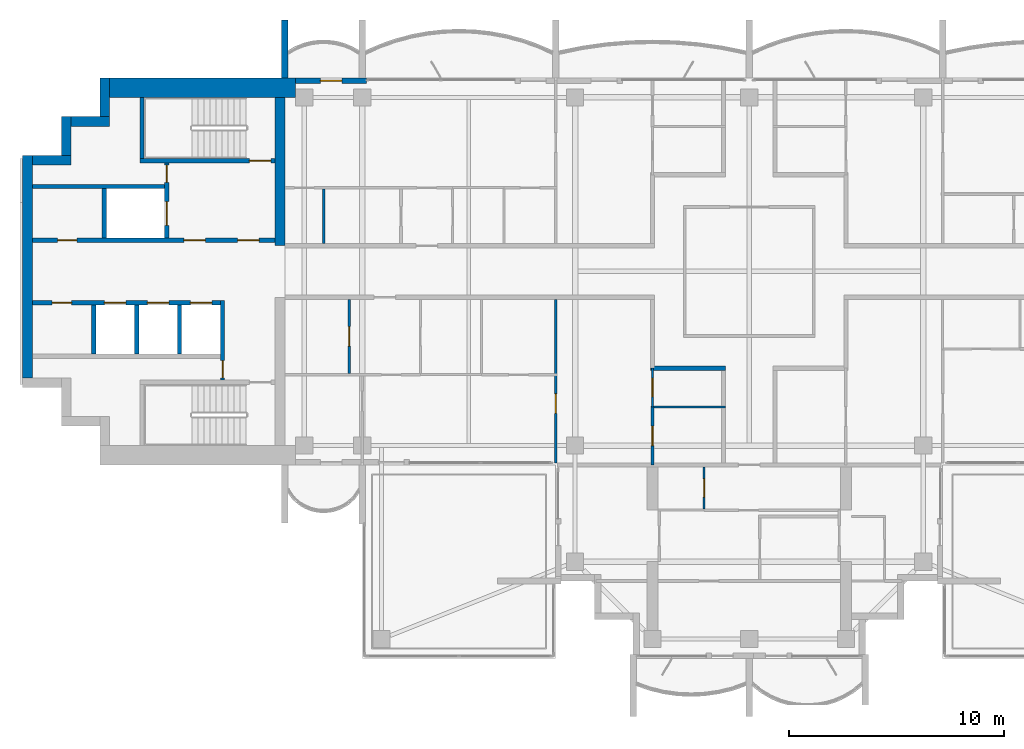
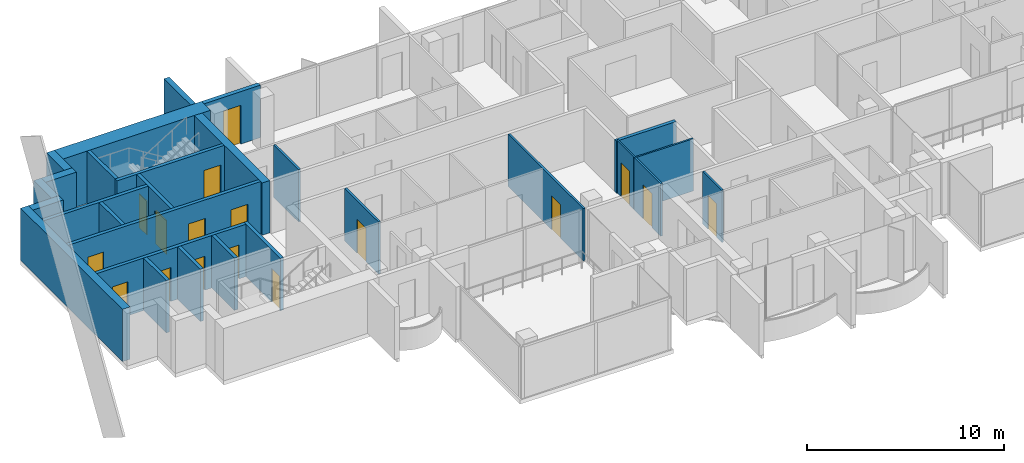
# One storey, part 7 of 16: 28 walls, 17 doors, 17 openings.
"""IFC4 building model written with IfcOpenShell, lengths in metres."""

from ifc_helpers import new_model, si_unit, direction, frame, frame_2d, origin, place, context, subcontext, project, spatial, rectangle, extrude, material, layer, layer_set, type_object, element, fill, save


model = new_model("IFC4")

# Units and contexts
model_context = context("Model", 3, precision=1e-05, world=origin(), true_north=direction((0.0, 1.0)))
body_context = subcontext(model_context, "Body", "Model", "MODEL_VIEW")
ifc_project = project(units=[si_unit("LENGTHUNIT", "METRE"), si_unit("AREAUNIT", "SQUARE_METRE"), si_unit("VOLUMEUNIT", "CUBIC_METRE"), si_unit("PLANEANGLEUNIT", "RADIAN"), si_unit("MASSUNIT", "GRAM", prefix="KILO")], contexts=[model_context])

# Site, building, storey
site_placement = place(None, origin())
site = spatial("IfcSite", under=ifc_project, at=site_placement, CompositionType="ELEMENT")
building_placement = place(site_placement, origin())
building = spatial("IfcBuilding", under=site, at=building_placement, Name="Perihelion Cross Residences", CompositionType="ELEMENT")
storey_placement = place(building_placement, frame((0.0, 0.0, 253.5)))
storey = spatial("IfcBuildingStorey", under=building, at=storey_placement, Name="L64", CompositionType="ELEMENT", Elevation=253.5)

# Wall
ifc_material_1 = material(Name="Plasterboard partition")
ifc_layer_1 = layer(ifc_material_1, 0.199951171875)
ifc_layer_set_1 = layer_set([ifc_layer_1], Name="Apartment separation wall 200")
wall_type_1 = type_object("IfcWallType", Name="Apartment separation wall 200", PredefinedType="PARTITIONING", material=ifc_layer_set_1)
wall_1_placement = place(storey_placement, frame((-1.10009765625, -4.5, 0.0), z_axis=(0.0, 0.0, 1.0), x_axis=(-1.0, 0.0, 0.0)))
element("IfcWall", 1, at=wall_1_placement, inside=storey, type_object=wall_type_1, Name="Partition L64 W020", PredefinedType="PARTITIONING", context=body_context, shape_type="SweptSolid", body=[
    extrude(rectangle(XDim=3.5, YDim=0.199951171875, at=frame_2d((1.75, 0.0))), origin(), (0.0, 0.0, 1.0), 3.25),
])

# Wall, opening, door
ifc_material_2 = material(Name="Concrete C30/37, bronze-clad", Category="concrete")
ifc_layer_2 = layer(ifc_material_2, 0.25)
ifc_layer_set_2 = layer_set([ifc_layer_2], Name="Bronze-clad pier wall 250")
wall_type_2 = type_object("IfcWallType", Name="Bronze-clad pier wall 250", PredefinedType="SOLIDWALL", material=ifc_layer_set_2)
wall_2_placement = place(storey_placement, frame((-17.800048828125, 8.875, 0.0), z_axis=(0.0, 0.0, 1.0), x_axis=(-1.0, 0.0, 0.0)))
wall_2 = element("IfcWall", 2, at=wall_2_placement, inside=storey, type_object=wall_type_2, Name="Wall FW1 L64 west side north bay 2 pier", PredefinedType="SOLIDWALL", context=body_context, shape_type="SweptSolid", body=[
    extrude(rectangle(XDim=3.300048828125, YDim=0.25, at=frame_2d((1.64990234375, 0.0))), origin(), (0.0, 0.0, 1.0), 3.25),
])
opening_1_placement = place(wall_2_placement, frame((1.14990234375, 0.0, 0.0)))
opening_1 = element("IfcOpeningElement", 3, at=opening_1_placement, cuts=wall_2, Name="Opening L64.E06", PredefinedType="OPENING", context=body_context, shape_type="SweptSolid", body=[
    extrude(rectangle(XDim=1.0, YDim=2.39990234375, at=frame_2d((0.5, 1.199951171875))), frame((0.0, 0.135009765625, 0.0), z_axis=(0.0, -1.0, 0.0), x_axis=(1.0, 0.0, 0.0)), (0.0, 0.0, 1.0), 0.27001953125),
])
ifc_material_3 = material(Name="Bronze anodised aluminium, glazed", Category="aluminium")
door_type_1 = type_object("IfcDoorType", Name="Balcony door 1000 x 2400", OperationType="NOTDEFINED", PredefinedType="DOOR", material=ifc_material_3)
door_1_placement = place(opening_1_placement, origin())
door_1 = element("IfcDoor", 4, at=door_1_placement, inside=storey, type_object=door_type_1, Name="Door L64.E06 west side north bay 2", OperationType="SINGLE_SWING_RIGHT", OverallHeight=2.39990234375, OverallWidth=1.0, PredefinedType="DOOR", context=body_context, shape_type="SweptSolid", body=[
    extrude(rectangle(XDim=1.0, YDim=2.39990234375, at=frame_2d((0.5, 1.199951171875))), frame((0.0, 0.02490234375, 0.0), z_axis=(0.0, -1.0, 0.0), x_axis=(1.0, 0.0, 0.0)), (0.0, 0.0, 1.0), 0.050048828125),
])
fill(opening_1, door_1)

# Walls
ifc_material_4 = material(Name="Concrete C60/75", Category="concrete")
ifc_layer_3 = layer(ifc_material_4, 0.449951171875)
ifc_layer_set_3 = layer_set([ifc_layer_3], Name="Core wall, inner 450")
wall_type_3 = type_object("IfcWallType", Name="Core wall, inner 450", PredefinedType="SHEAR", material=ifc_layer_set_3)
wall_3_placement = place(storey_placement, frame((-21.824951171875, 1.199951171875, 0.0), z_axis=(0.0, 0.0, 1.0), x_axis=(0.0, 1.0, 0.0)))
element("IfcWall", 5, at=wall_3_placement, inside=storey, type_object=wall_type_3, Name="West core core wall, inner", PredefinedType="SHEAR", context=body_context, shape_type="SweptSolid", body=[
    extrude(rectangle(XDim=6.900146484375, YDim=0.449951171875, at=frame_2d((3.4501953125, 0.0))), origin(), (0.0, 0.0, 1.0), 3.25),
])
ifc_material_5 = material(Name="Concrete C60/75", Category="concrete")
ifc_layer_4 = layer(ifc_material_5, 0.449951171875)
ifc_layer_set_4 = layer_set([ifc_layer_4], Name="Core wall, outer 450")
wall_type_4 = type_object("IfcWallType", Name="Core wall, outer 450", PredefinedType="SHEAR", material=ifc_layer_set_4)
wall_4_placement = place(storey_placement, frame((-33.574951171875, -4.949951171875, 0.0), z_axis=(0.0, 0.0, 1.0), x_axis=(0.0, 1.0, 0.0)))
element("IfcWall", 6, at=wall_4_placement, inside=storey, type_object=wall_type_4, Name="West core core wall, outer", PredefinedType="SHEAR", context=body_context, shape_type="SweptSolid", body=[
    extrude(rectangle(XDim=10.349853515625, YDim=0.449951171875, at=frame_2d((5.1748046875, 0.0))), origin(), (0.0, 0.0, 1.0), 3.25),
])
for number, where, z_axis, x_axis, name in (
    (7, (-33.35009765625, 5.175048828125, 0.0), (0.0, 0.0, 1.0), (1.0, 0.0, 0.0), "West core core wall, outer"),
    (8, (-31.77490234375, 5.39990234375, 0.0), (0.0, 0.0, 1.0), (0.0, 1.0, 0.0), "West core core wall, outer"),
    (9, (-31.550048828125, 6.97509765625, 0.0), (0.0, 0.0, 1.0), (1.0, 0.0, 0.0), "West core core wall, outer"),
    (10, (-29.97509765625, 7.199951171875, 0.0), (0.0, 0.0, 1.0), (0.0, 1.0, 0.0), "West core core wall, outer"),
):
    element("IfcWall", number, at=place(storey_placement, frame(where, z_axis=z_axis, x_axis=x_axis)), inside=storey, type_object=wall_type_4, Name=name, PredefinedType="SHEAR", context=body_context, shape_type="SweptSolid", body=[
        extrude(rectangle(XDim=1.800048828125, YDim=0.449951171875, at=frame_2d((0.89990234375, 0.0))), origin(), (0.0, 0.0, 1.0), 3.25),
    ])
ifc_material_6 = material(Name="Concrete C60/75", Category="concrete")
ifc_layer_5 = layer(ifc_material_6, 0.89990234375)
ifc_layer_set_5 = layer_set([ifc_layer_5], Name="Core wall, outer 900")
wall_type_5 = type_object("IfcWallType", Name="Core wall, outer 900", PredefinedType="SHEAR", material=ifc_layer_set_5)
wall_5_placement = place(storey_placement, frame((-29.75, 8.550048828125, 0.0), z_axis=(0.0, 0.0, 1.0), x_axis=(1.0, 0.0, 0.0)))
element("IfcWall", 11, at=wall_5_placement, inside=storey, type_object=wall_type_5, Name="West core core wall, outer", PredefinedType="SHEAR", context=body_context, shape_type="SweptSolid", body=[
    extrude(rectangle(XDim=8.64990234375, YDim=0.89990234375, at=frame_2d((4.324951171875, 0.0))), origin(), (0.0, 0.0, 1.0), 3.25),
])

# Wall, opening, door
ifc_material_7 = material(Name="Concrete C50/60", Category="concrete")
ifc_layer_6 = layer(ifc_material_7, 0.199951171875)
ifc_layer_set_6 = layer_set([ifc_layer_6], Name="Lobby wall 200")
wall_type_6 = type_object("IfcWallType", Name="Lobby wall 200", PredefinedType="SOLIDWALL", material=ifc_layer_set_6)
wall_6_placement = place(storey_placement, frame((-24.5, -5.050048828125, 0.0), z_axis=(0.0, 0.0, 1.0), x_axis=(0.0, 1.0, 0.0)))
wall_6 = element("IfcWall", 12, at=wall_6_placement, inside=storey, type_object=wall_type_6, Name="West core lobby wall", PredefinedType="SOLIDWALL", context=body_context, shape_type="SweptSolid", body=[
    extrude(rectangle(XDim=3.699951171875, YDim=0.199951171875, at=frame_2d((1.85009765625, 0.0))), origin(), (0.0, 0.0, 1.0), 3.25),
])
opening_2_placement = place(wall_6_placement, frame((0.10009765625, 0.0, 0.0)))
opening_2 = element("IfcOpeningElement", 13, at=opening_2_placement, cuts=wall_6, Name="Opening L64.C20", PredefinedType="OPENING", context=body_context, shape_type="SweptSolid", body=[
    extrude(rectangle(XDim=0.800048828125, YDim=2.10009765625, at=frame_2d((0.39990234375, 1.050048828125))), frame((0.0, 0.10986328125, 0.0), z_axis=(0.0, -1.0, 0.0), x_axis=(1.0, 0.0, 0.0)), (0.0, 0.0, 1.0), 0.219970703125),
])
ifc_material_8 = material(Name="Steel, powder coated", Category="steel")
door_type_2 = type_object("IfcDoorType", Name="Riser door 800", OperationType="SINGLE_SWING_LEFT", PredefinedType="DOOR", material=ifc_material_8)
door_2_placement = place(opening_2_placement, origin())
door_2 = element("IfcDoor", 14, at=door_2_placement, inside=storey, type_object=door_type_2, Name="West core riser door", OperationType="SINGLE_SWING_LEFT", OverallHeight=2.10009765625, OverallWidth=0.800048828125, PredefinedType="DOOR", context=body_context, shape_type="SweptSolid", body=[
    extrude(rectangle(XDim=0.800048828125, YDim=2.10009765625, at=frame_2d((0.39990234375, 1.050048828125))), frame((0.0, 0.02490234375, 0.0), z_axis=(0.0, -1.0, 0.0), x_axis=(1.0, 0.0, 0.0)), (0.0, 0.0, 1.0), 0.050048828125),
])
fill(opening_2, door_2)

# Wall
ifc_material_9 = material(Name="Plasterboard partition")
ifc_layer_7 = layer(ifc_material_9, 0.1201171875)
ifc_layer_set_7 = layer_set([ifc_layer_7], Name="Partition wall 120")
wall_type_7 = type_object("IfcWallType", Name="Partition wall 120", PredefinedType="PARTITIONING", material=ifc_layer_set_7)
wall_7_placement = place(storey_placement, frame((-19.800048828125, 1.300048828125, 0.0), z_axis=(0.0, 0.0, 1.0), x_axis=(0.0, 1.0, 0.0)))
element("IfcWall", 15, at=wall_7_placement, inside=storey, type_object=wall_type_7, Name="Partition L64 W050", PredefinedType="PARTITIONING", context=body_context, shape_type="SweptSolid", body=[
    extrude(rectangle(XDim=2.5400390625, YDim=0.1201171875, at=frame_2d((1.27001953125, 0.0))), origin(), (0.0, 0.0, 1.0), 3.25),
])

# Wall, opening, door
wall_8_placement = place(storey_placement, frame((-9.0, -1.300048828125, 0.0), z_axis=(0.0, 0.0, 1.0), x_axis=(0.0, -1.0, 0.0)))
wall_8 = element("IfcWall", 16, at=wall_8_placement, inside=storey, type_object=wall_type_7, Name="Partition L64 W056", PredefinedType="PARTITIONING", context=body_context, shape_type="SweptSolid", body=[
    extrude(rectangle(XDim=7.619873046875, YDim=0.1201171875, at=frame_2d((3.81005859375, 0.0))), origin(), (0.0, 0.0, 1.0), 3.25),
])
opening_3_placement = place(wall_8_placement, frame((4.39990234375, 0.0, 0.0)))
opening_3 = element("IfcOpeningElement", 17, at=opening_3_placement, cuts=wall_8, Name="Opening L64.A30", PredefinedType="OPENING", context=body_context, shape_type="SweptSolid", body=[
    extrude(rectangle(XDim=0.89990234375, YDim=2.10009765625, at=frame_2d((0.449951171875, 1.050048828125))), frame((0.0, 0.070068359375, 0.0), z_axis=(0.0, -1.0, 0.0), x_axis=(1.0, 0.0, 0.0)), (0.0, 0.0, 1.0), 0.14013671875),
])
ifc_material_10 = material(Name="Timber door leaf", Category="wood")
door_type_3 = type_object("IfcDoorType", Name="Interior room door 900 x 2100", OperationType="SINGLE_SWING_LEFT", PredefinedType="DOOR", material=ifc_material_10)
door_3_placement = place(opening_3_placement, origin())
door_3 = element("IfcDoor", 18, at=door_3_placement, inside=storey, type_object=door_type_3, Name="Door L64.A30", OperationType="SINGLE_SWING_RIGHT", OverallHeight=2.10009765625, OverallWidth=0.89990234375, PredefinedType="DOOR", context=body_context, shape_type="SweptSolid", body=[
    extrude(rectangle(XDim=0.89990234375, YDim=2.10009765625, at=frame_2d((0.449951171875, 1.050048828125))), frame((0.0, 0.02490234375, 0.0), z_axis=(0.0, -1.0, 0.0), x_axis=(1.0, 0.0, 0.0)), (0.0, 0.0, 1.0), 0.050048828125),
])
fill(opening_3, door_3)

wall_9_placement = place(storey_placement, frame((-18.60009765625, -4.739990234375, 0.0), z_axis=(0.0, 0.0, 1.0), x_axis=(0.0, 1.0, 0.0)))
wall_9 = element("IfcWall", 19, at=wall_9_placement, inside=storey, type_object=wall_type_7, Name="Partition L64 W059", PredefinedType="PARTITIONING", context=body_context, shape_type="SweptSolid", body=[
    extrude(rectangle(XDim=3.43994140625, YDim=0.1201171875, at=frame_2d((1.719970703125, 0.0))), origin(), (0.0, 0.0, 1.0), 3.25),
])
opening_4_placement = place(wall_9_placement, frame((1.27001953125, 0.0, 0.0)))
opening_4 = element("IfcOpeningElement", 20, at=opening_4_placement, cuts=wall_9, Name="Opening L64.A28", PredefinedType="OPENING", context=body_context, shape_type="SweptSolid", body=[
    extrude(rectangle(XDim=0.89990234375, YDim=2.10009765625, at=frame_2d((0.449951171875, 1.050048828125))), frame((0.0, 0.070068359375, 0.0), z_axis=(0.0, -1.0, 0.0), x_axis=(1.0, 0.0, 0.0)), (0.0, 0.0, 1.0), 0.14013671875),
])
door_4_placement = place(opening_4_placement, origin())
door_4 = element("IfcDoor", 21, at=door_4_placement, inside=storey, type_object=door_type_3, Name="Door L64.A28", OperationType="SINGLE_SWING_RIGHT", OverallHeight=2.10009765625, OverallWidth=0.89990234375, PredefinedType="DOOR", context=body_context, shape_type="SweptSolid", body=[
    extrude(rectangle(XDim=0.89990234375, YDim=2.10009765625, at=frame_2d((0.449951171875, 1.050048828125))), frame((0.0, 0.02490234375, 0.0), z_axis=(0.0, -1.0, 0.0), x_axis=(1.0, 0.0, 0.0)), (0.0, 0.0, 1.0), 0.050048828125),
])
fill(opening_4, door_4)

wall_10_placement = place(storey_placement, frame((-4.5, -6.300048828125, 0.0), z_axis=(0.0, 0.0, 1.0), x_axis=(0.0, -1.0, 0.0)))
wall_10 = element("IfcWall", 22, at=wall_10_placement, inside=storey, type_object=wall_type_7, Name="Partition L64 W063", PredefinedType="PARTITIONING", context=body_context, shape_type="SweptSolid", body=[
    extrude(rectangle(XDim=2.699951171875, YDim=0.1201171875, at=frame_2d((1.35009765625, 0.0))), origin(), (0.0, 0.0, 1.0), 3.25),
])
opening_5_placement = place(wall_10_placement, frame((0.89990234375, 0.0, 0.0)))
opening_5 = element("IfcOpeningElement", 23, at=opening_5_placement, cuts=wall_10, Name="Opening L64.A31", PredefinedType="OPENING", context=body_context, shape_type="SweptSolid", body=[
    extrude(rectangle(XDim=0.89990234375, YDim=2.10009765625, at=frame_2d((0.449951171875, 1.050048828125))), frame((0.0, 0.070068359375, 0.0), z_axis=(0.0, -1.0, 0.0), x_axis=(1.0, 0.0, 0.0)), (0.0, 0.0, 1.0), 0.14013671875),
])
door_5_placement = place(opening_5_placement, origin())
door_5 = element("IfcDoor", 24, at=door_5_placement, inside=storey, type_object=door_type_3, Name="Door L64.A31", OperationType="SINGLE_SWING_RIGHT", OverallHeight=2.10009765625, OverallWidth=0.89990234375, PredefinedType="DOOR", context=body_context, shape_type="SweptSolid", body=[
    extrude(rectangle(XDim=0.89990234375, YDim=2.10009765625, at=frame_2d((0.449951171875, 1.050048828125))), frame((0.0, 0.02490234375, 0.0), z_axis=(0.0, -1.0, 0.0), x_axis=(1.0, 0.0, 0.0)), (0.0, 0.0, 1.0), 0.050048828125),
])
fill(opening_5, door_5)

# Wall
ifc_material_11 = material(Name="Precast concrete C50/60", Category="concrete")
ifc_layer_8 = layer(ifc_material_11, 0.300048828125)
ifc_layer_set_8 = layer_set([ifc_layer_8], Name="Precast concrete C50/60 blade wall 300")
wall_type_8 = type_object("IfcWallType", Name="Precast concrete C50/60 blade wall 300", PredefinedType="SOLIDWALL", material=ifc_layer_set_8)
wall_11_placement = place(storey_placement, frame((-21.60009765625, 9.0, 0.0), z_axis=(0.0, 0.0, 1.0), x_axis=(0.0, 1.0, 0.0)))
element("IfcWall", 25, at=wall_11_placement, inside=storey, type_object=wall_type_8, Name="Wall BL1 L64 no. 4", PredefinedType="SOLIDWALL", context=body_context, shape_type="SweptSolid", body=[
    extrude(rectangle(XDim=2.699951171875, YDim=0.300048828125, at=frame_2d((1.35009765625, 0.0))), origin(), (0.0, 0.0, 1.0), 3.25),
])

# Wall, openings, doors
ifc_material_12 = material(Name="Concrete C50/60", Category="concrete")
ifc_layer_9 = layer(ifc_material_12, 0.199951171875)
ifc_layer_set_9 = layer_set([ifc_layer_9], Name="Shaft wall 200")
wall_type_9 = type_object("IfcWallType", Name="Shaft wall 200", PredefinedType="SOLIDWALL", material=ifc_layer_set_9)
wall_12_placement = place(storey_placement, frame((-33.35009765625, 1.449951171875, 0.0), z_axis=(0.0, 0.0, 1.0), x_axis=(1.0, 0.0, 0.0)))
wall_12 = element("IfcWall", 26, at=wall_12_placement, inside=storey, type_object=wall_type_9, Name="West core shaft wall", PredefinedType="SOLIDWALL", context=body_context, shape_type="SweptSolid", body=[
    extrude(rectangle(XDim=11.300048828125, YDim=0.199951171875, at=frame_2d((5.64990234375, 0.0))), origin(), (0.0, 0.0, 1.0), 3.25),
])
opening_6_placement = place(wall_12_placement, frame((9.550048828125, 0.0, 0.0)))
opening_6 = element("IfcOpeningElement", 27, at=opening_6_placement, cuts=wall_12, Name="Opening L64.C19", PredefinedType="OPENING", context=body_context, shape_type="SweptSolid", body=[
    extrude(rectangle(XDim=1.0, YDim=2.10009765625, at=frame_2d((0.5, 1.050048828125))), frame((0.0, 0.10986328125, 0.0), z_axis=(0.0, -1.0, 0.0), x_axis=(1.0, 0.0, 0.0)), (0.0, 0.0, 1.0), 0.219970703125),
])
opening_7_placement = place(wall_12_placement, frame((7.050048828125, 0.0, 0.0)))
opening_7 = element("IfcOpeningElement", 28, at=opening_7_placement, cuts=wall_12, Name="Opening L64.C21", PredefinedType="OPENING", context=body_context, shape_type="SweptSolid", body=[
    extrude(rectangle(XDim=1.0, YDim=2.10009765625, at=frame_2d((0.5, 1.050048828125))), frame((0.0, 0.10986328125, 0.0), z_axis=(0.0, -1.0, 0.0), x_axis=(1.0, 0.0, 0.0)), (0.0, 0.0, 1.0), 0.219970703125),
])
opening_8_placement = place(wall_12_placement, frame((1.175048828125, 0.0, 0.0)))
opening_8 = element("IfcOpeningElement", 29, at=opening_8_placement, cuts=wall_12, Name="Opening L64.C23", PredefinedType="OPENING", context=body_context, shape_type="SweptSolid", body=[
    extrude(rectangle(XDim=0.89990234375, YDim=2.10009765625, at=frame_2d((0.449951171875, 1.050048828125))), frame((0.0, 0.10986328125, 0.0), z_axis=(0.0, -1.0, 0.0), x_axis=(1.0, 0.0, 0.0)), (0.0, 0.0, 1.0), 0.219970703125),
])
ifc_material_13 = material(Name="Steel, powder coated", Category="steel")
door_type_4 = type_object("IfcDoorType", Name="Lobby door 1000", OperationType="SINGLE_SWING_LEFT", PredefinedType="DOOR", material=ifc_material_13)
door_6_placement = place(opening_6_placement, origin())
door_6 = element("IfcDoor", 30, at=door_6_placement, inside=storey, type_object=door_type_4, Name="West core firefighting lobby door", OperationType="SINGLE_SWING_LEFT", OverallHeight=2.10009765625, OverallWidth=1.0, PredefinedType="DOOR", context=body_context, shape_type="SweptSolid", body=[
    extrude(rectangle(XDim=1.0, YDim=2.10009765625, at=frame_2d((0.5, 1.050048828125))), frame((0.0, 0.02490234375, 0.0), z_axis=(0.0, -1.0, 0.0), x_axis=(1.0, 0.0, 0.0)), (0.0, 0.0, 1.0), 0.050048828125),
])
fill(opening_6, door_6)
door_7_placement = place(opening_7_placement, origin())
door_7 = element("IfcDoor", 31, at=door_7_placement, inside=storey, type_object=door_type_4, Name="West core firefighting lobby door", OperationType="SINGLE_SWING_LEFT", OverallHeight=2.10009765625, OverallWidth=1.0, PredefinedType="DOOR", context=body_context, shape_type="SweptSolid", body=[
    extrude(rectangle(XDim=1.0, YDim=2.10009765625, at=frame_2d((0.5, 1.050048828125))), frame((0.0, 0.02490234375, 0.0), z_axis=(0.0, -1.0, 0.0), x_axis=(1.0, 0.0, 0.0)), (0.0, 0.0, 1.0), 0.050048828125),
])
fill(opening_7, door_7)
ifc_material_14 = material(Name="Steel, powder coated", Category="steel")
door_type_5 = type_object("IfcDoorType", Name="Service room door 900", OperationType="SINGLE_SWING_LEFT", PredefinedType="DOOR", material=ifc_material_14)
door_8_placement = place(opening_8_placement, origin())
door_8 = element("IfcDoor", 32, at=door_8_placement, inside=storey, type_object=door_type_5, Name="West core service room door", OperationType="SINGLE_SWING_LEFT", OverallHeight=2.10009765625, OverallWidth=0.89990234375, PredefinedType="DOOR", context=body_context, shape_type="SweptSolid", body=[
    extrude(rectangle(XDim=0.89990234375, YDim=2.10009765625, at=frame_2d((0.449951171875, 1.050048828125))), frame((0.0, 0.02490234375, 0.0), z_axis=(0.0, -1.0, 0.0), x_axis=(1.0, 0.0, 0.0)), (0.0, 0.0, 1.0), 0.050048828125),
])
fill(opening_8, door_8)

wall_13_placement = place(storey_placement, frame((-33.35009765625, -1.449951171875, 0.0), z_axis=(0.0, 0.0, 1.0), x_axis=(1.0, 0.0, 0.0)))
wall_13 = element("IfcWall", 33, at=wall_13_placement, inside=storey, type_object=wall_type_9, Name="West core shaft wall", PredefinedType="SOLIDWALL", context=body_context, shape_type="SweptSolid", body=[
    extrude(rectangle(XDim=8.75, YDim=0.199951171875, at=frame_2d((4.375, 0.0))), origin(), (0.0, 0.0, 1.0), 3.25),
])
opening_9_placement = place(wall_13_placement, frame((7.35009765625, 0.0, 0.0)))
opening_9 = element("IfcOpeningElement", 34, at=opening_9_placement, cuts=wall_13, Name="Opening L64.C13", PredefinedType="OPENING", context=body_context, shape_type="SweptSolid", body=[
    extrude(rectangle(XDim=1.0, YDim=2.10009765625, at=frame_2d((0.5, 1.050048828125))), frame((0.0, 0.10986328125, 0.0), z_axis=(0.0, -1.0, 0.0), x_axis=(1.0, 0.0, 0.0)), (0.0, 0.0, 1.0), 0.219970703125),
])
opening_10_placement = place(wall_13_placement, frame((5.35009765625, 0.0, 0.0)))
opening_10 = element("IfcOpeningElement", 35, at=opening_10_placement, cuts=wall_13, Name="Opening L64.C15", PredefinedType="OPENING", context=body_context, shape_type="SweptSolid", body=[
    extrude(rectangle(XDim=1.0, YDim=2.10009765625, at=frame_2d((0.5, 1.050048828125))), frame((0.0, 0.10986328125, 0.0), z_axis=(0.0, -1.0, 0.0), x_axis=(1.0, 0.0, 0.0)), (0.0, 0.0, 1.0), 0.219970703125),
])
opening_11_placement = place(wall_13_placement, frame((3.35009765625, 0.0, 0.0)))
opening_11 = element("IfcOpeningElement", 36, at=opening_11_placement, cuts=wall_13, Name="Opening L64.C16", PredefinedType="OPENING", context=body_context, shape_type="SweptSolid", body=[
    extrude(rectangle(XDim=1.0, YDim=2.10009765625, at=frame_2d((0.5, 1.050048828125))), frame((0.0, 0.10986328125, 0.0), z_axis=(0.0, -1.0, 0.0), x_axis=(1.0, 0.0, 0.0)), (0.0, 0.0, 1.0), 0.219970703125),
])
opening_12_placement = place(wall_13_placement, frame((0.925048828125, 0.0, 0.0)))
opening_12 = element("IfcOpeningElement", 37, at=opening_12_placement, cuts=wall_13, Name="Opening L64.C24", PredefinedType="OPENING", context=body_context, shape_type="SweptSolid", body=[
    extrude(rectangle(XDim=0.89990234375, YDim=2.10009765625, at=frame_2d((0.449951171875, 1.050048828125))), frame((0.0, 0.10986328125, 0.0), z_axis=(0.0, -1.0, 0.0), x_axis=(1.0, 0.0, 0.0)), (0.0, 0.0, 1.0), 0.219970703125),
])
ifc_material_15 = material(Name="Stainless steel", Category="steel")
door_type_6 = type_object("IfcDoorType", Name="Landing door 1000", OperationType="DOUBLE_DOOR_SLIDING", PredefinedType="DOOR", material=ifc_material_15)
door_9_placement = place(opening_9_placement, origin())
door_9 = element("IfcDoor", 38, at=door_9_placement, inside=storey, type_object=door_type_6, Name="Landing door, West core high-rise lift 1", OperationType="DOUBLE_DOOR_SLIDING", OverallHeight=2.10009765625, OverallWidth=1.0, PredefinedType="DOOR", context=body_context, shape_type="SweptSolid", body=[
    extrude(rectangle(XDim=1.0, YDim=2.10009765625, at=frame_2d((0.5, 1.050048828125))), frame((0.0, 0.02490234375, 0.0), z_axis=(0.0, -1.0, 0.0), x_axis=(1.0, 0.0, 0.0)), (0.0, 0.0, 1.0), 0.050048828125),
])
fill(opening_9, door_9)
door_10_placement = place(opening_10_placement, origin())
door_10 = element("IfcDoor", 39, at=door_10_placement, inside=storey, type_object=door_type_6, Name="Landing door, West core high-rise lift 2", OperationType="DOUBLE_DOOR_SLIDING", OverallHeight=2.10009765625, OverallWidth=1.0, PredefinedType="DOOR", context=body_context, shape_type="SweptSolid", body=[
    extrude(rectangle(XDim=1.0, YDim=2.10009765625, at=frame_2d((0.5, 1.050048828125))), frame((0.0, 0.02490234375, 0.0), z_axis=(0.0, -1.0, 0.0), x_axis=(1.0, 0.0, 0.0)), (0.0, 0.0, 1.0), 0.050048828125),
])
fill(opening_10, door_10)
door_11_placement = place(opening_11_placement, origin())
door_11 = element("IfcDoor", 40, at=door_11_placement, inside=storey, type_object=door_type_6, Name="Landing door, West core high-rise lift 3", OperationType="DOUBLE_DOOR_SLIDING", OverallHeight=2.10009765625, OverallWidth=1.0, PredefinedType="DOOR", context=body_context, shape_type="SweptSolid", body=[
    extrude(rectangle(XDim=1.0, YDim=2.10009765625, at=frame_2d((0.5, 1.050048828125))), frame((0.0, 0.02490234375, 0.0), z_axis=(0.0, -1.0, 0.0), x_axis=(1.0, 0.0, 0.0)), (0.0, 0.0, 1.0), 0.050048828125),
])
fill(opening_11, door_11)
door_12_placement = place(opening_12_placement, origin())
door_12 = element("IfcDoor", 41, at=door_12_placement, inside=storey, type_object=door_type_5, Name="West core service room door", OperationType="SINGLE_SWING_LEFT", OverallHeight=2.10009765625, OverallWidth=0.89990234375, PredefinedType="DOOR", context=body_context, shape_type="SweptSolid", body=[
    extrude(rectangle(XDim=0.89990234375, YDim=2.10009765625, at=frame_2d((0.449951171875, 1.050048828125))), frame((0.0, 0.02490234375, 0.0), z_axis=(0.0, -1.0, 0.0), x_axis=(1.0, 0.0, 0.0)), (0.0, 0.0, 1.0), 0.050048828125),
])
fill(opening_12, door_12)

# Wall
wall_14_placement = place(storey_placement, frame((-33.35009765625, 3.949951171875, 0.0), z_axis=(0.0, 0.0, 1.0), x_axis=(1.0, 0.0, 0.0)))
element("IfcWall", 42, at=wall_14_placement, inside=storey, type_object=wall_type_9, Name="West core shaft wall", PredefinedType="SOLIDWALL", context=body_context, shape_type="SweptSolid", body=[
    extrude(rectangle(XDim=6.150146484375, YDim=0.199951171875, at=frame_2d((3.0751953125, 0.0))), origin(), (0.0, 0.0, 1.0), 3.25),
])

# Wall, openings, doors
wall_15_placement = place(storey_placement, frame((-27.10009765625, 1.550048828125, 0.0), z_axis=(0.0, 0.0, 1.0), x_axis=(0.0, 1.0, 0.0)))
wall_15 = element("IfcWall", 43, at=wall_15_placement, inside=storey, type_object=wall_type_9, Name="West core shaft wall", PredefinedType="SOLIDWALL", context=body_context, shape_type="SweptSolid", body=[
    extrude(rectangle(XDim=3.5, YDim=0.199951171875, at=frame_2d((1.75, 0.0))), origin(), (0.0, 0.0, 1.0), 3.25),
])
opening_13_placement = place(wall_15_placement, frame((0.60009765625, 0.0, 0.0)))
opening_13 = element("IfcOpeningElement", 44, at=opening_13_placement, cuts=wall_15, Name="Opening L64.C14", PredefinedType="OPENING", context=body_context, shape_type="SweptSolid", body=[
    extrude(rectangle(XDim=1.10009765625, YDim=2.10009765625, at=frame_2d((0.550048828125, 1.050048828125))), frame((0.0, 0.10986328125, 0.0), z_axis=(0.0, -1.0, 0.0), x_axis=(1.0, 0.0, 0.0)), (0.0, 0.0, 1.0), 0.219970703125),
])
opening_14_placement = place(wall_15_placement, frame((2.60009765625, 0.0, 0.0)))
opening_14 = element("IfcOpeningElement", 45, at=opening_14_placement, cuts=wall_15, Name="Opening L64.C22", PredefinedType="OPENING", context=body_context, shape_type="SweptSolid", body=[
    extrude(rectangle(XDim=0.800048828125, YDim=2.10009765625, at=frame_2d((0.39990234375, 1.050048828125))), frame((0.0, 0.10986328125, 0.0), z_axis=(0.0, -1.0, 0.0), x_axis=(1.0, 0.0, 0.0)), (0.0, 0.0, 1.0), 0.219970703125),
])
ifc_material_16 = material(Name="Stainless steel", Category="steel")
door_type_7 = type_object("IfcDoorType", Name="Landing door, firefighting lift 1100", OperationType="DOUBLE_DOOR_SLIDING", PredefinedType="DOOR", material=ifc_material_16)
door_13_placement = place(opening_13_placement, origin())
door_13 = element("IfcDoor", 46, at=door_13_placement, inside=storey, type_object=door_type_7, Name="Landing door, West core firefighting and service lift", OperationType="DOUBLE_DOOR_SLIDING", OverallHeight=2.10009765625, OverallWidth=1.10009765625, PredefinedType="DOOR", context=body_context, shape_type="SweptSolid", body=[
    extrude(rectangle(XDim=1.10009765625, YDim=2.10009765625, at=frame_2d((0.550048828125, 1.050048828125))), frame((0.0, 0.02490234375, 0.0), z_axis=(0.0, -1.0, 0.0), x_axis=(1.0, 0.0, 0.0)), (0.0, 0.0, 1.0), 0.050048828125),
])
fill(opening_13, door_13)
door_14_placement = place(opening_14_placement, origin())
door_14 = element("IfcDoor", 47, at=door_14_placement, inside=storey, type_object=door_type_2, Name="West core riser door", OperationType="SINGLE_SWING_LEFT", OverallHeight=2.10009765625, OverallWidth=0.800048828125, PredefinedType="DOOR", context=body_context, shape_type="SweptSolid", body=[
    extrude(rectangle(XDim=0.800048828125, YDim=2.10009765625, at=frame_2d((0.39990234375, 1.050048828125))), frame((0.0, 0.02490234375, 0.0), z_axis=(0.0, -1.0, 0.0), x_axis=(1.0, 0.0, 0.0)), (0.0, 0.0, 1.0), 0.050048828125),
])
fill(opening_14, door_14)

# Walls
for number, where, z_axis, x_axis, name in (
    (48, (-30.0, 1.550048828125, 0.0), (0.0, 0.0, 1.0), (0.0, 1.0, 0.0), "West core shaft wall"),
    (49, (-26.5, -3.85009765625, 0.0), (0.0, 0.0, 1.0), (0.0, 1.0, 0.0), "West core shaft wall"),
    (50, (-28.5, -3.85009765625, 0.0), (0.0, 0.0, 1.0), (0.0, 1.0, 0.0), "West core shaft wall"),
    (51, (-30.5, -3.85009765625, 0.0), (0.0, 0.0, 1.0), (0.0, 1.0, 0.0), "West core shaft wall"),
):
    element("IfcWall", number, at=place(storey_placement, frame(where, z_axis=z_axis, x_axis=x_axis)), inside=storey, type_object=wall_type_9, Name=name, PredefinedType="SOLIDWALL", context=body_context, shape_type="SweptSolid", body=[
        extrude(rectangle(XDim=2.300048828125, YDim=0.199951171875, at=frame_2d((1.14990234375, 0.0))), origin(), (0.0, 0.0, 1.0), 3.25),
    ])

# Wall, opening, door
ifc_material_17 = material(Name="Concrete C50/60", Category="concrete")
ifc_layer_10 = layer(ifc_material_17, 0.199951171875)
ifc_layer_set_10 = layer_set([ifc_layer_10], Name="Stair wall 200")
wall_type_10 = type_object("IfcWallType", Name="Stair wall 200", PredefinedType="SOLIDWALL", material=ifc_layer_set_10)
wall_16_placement = place(storey_placement, frame((-28.35009765625, 5.14990234375, 0.0), z_axis=(0.0, 0.0, 1.0), x_axis=(1.0, 0.0, 0.0)))
wall_16 = element("IfcWall", 52, at=wall_16_placement, inside=storey, type_object=wall_type_10, Name="West core stair wall", PredefinedType="SOLIDWALL", context=body_context, shape_type="SweptSolid", body=[
    extrude(rectangle(XDim=6.300048828125, YDim=0.199951171875, at=frame_2d((3.14990234375, 0.0))), origin(), (0.0, 0.0, 1.0), 3.25),
])
opening_15_placement = place(wall_16_placement, frame((5.10009765625, 0.0, 0.0)))
opening_15 = element("IfcOpeningElement", 53, at=opening_15_placement, cuts=wall_16, Name="Opening L64.C18", PredefinedType="OPENING", context=body_context, shape_type="SweptSolid", body=[
    extrude(rectangle(XDim=1.0, YDim=2.10009765625, at=frame_2d((0.5, 1.050048828125))), frame((0.0, 0.10986328125, 0.0), z_axis=(0.0, -1.0, 0.0), x_axis=(1.0, 0.0, 0.0)), (0.0, 0.0, 1.0), 0.219970703125),
])
ifc_material_18 = material(Name="Steel, powder coated", Category="steel")
door_type_8 = type_object("IfcDoorType", Name="Stair door 1000", OperationType="SINGLE_SWING_LEFT", PredefinedType="DOOR", material=ifc_material_18)
door_15_placement = place(opening_15_placement, origin())
door_15 = element("IfcDoor", 54, at=door_15_placement, inside=storey, type_object=door_type_8, Name="West core stair door", OperationType="SINGLE_SWING_LEFT", OverallHeight=2.10009765625, OverallWidth=1.0, PredefinedType="DOOR", context=body_context, shape_type="SweptSolid", body=[
    extrude(rectangle(XDim=1.0, YDim=2.10009765625, at=frame_2d((0.5, 1.050048828125))), frame((0.0, 0.02490234375, 0.0), z_axis=(0.0, -1.0, 0.0), x_axis=(1.0, 0.0, 0.0)), (0.0, 0.0, 1.0), 0.050048828125),
])
fill(opening_15, door_15)

# Wall
wall_17_placement = place(storey_placement, frame((-28.25, 5.25, 0.0), z_axis=(0.0, 0.0, 1.0), x_axis=(0.0, 1.0, 0.0)))
element("IfcWall", 55, at=wall_17_placement, inside=storey, type_object=wall_type_10, Name="West core stair wall", PredefinedType="SOLIDWALL", context=body_context, shape_type="SweptSolid", body=[
    extrude(rectangle(XDim=2.85009765625, YDim=0.199951171875, at=frame_2d((1.425048828125, 0.0))), origin(), (0.0, 0.0, 1.0), 3.25),
])

# Wall, opening, door
ifc_material_19 = material(Name="Plasterboard partition")
ifc_layer_11 = layer(ifc_material_19, 0.10009765625)
ifc_layer_set_11 = layer_set([ifc_layer_11], Name="Wet room wall 100")
wall_type_11 = type_object("IfcWallType", Name="Wet room wall 100", PredefinedType="PARTITIONING", material=ifc_layer_set_11)
wall_18_placement = place(storey_placement, frame((-4.5, -4.5, 0.0), z_axis=(0.0, 0.0, 1.0), x_axis=(0.0, -1.0, 0.0)))
wall_18 = element("IfcWall", 56, at=wall_18_placement, inside=storey, type_object=wall_type_11, Name="Partition L64 W062", PredefinedType="PARTITIONING", context=body_context, shape_type="SweptSolid", body=[
    extrude(rectangle(XDim=1.800048828125, YDim=0.10009765625, at=frame_2d((0.89990234375, 0.0))), origin(), (0.0, 0.0, 1.0), 3.25),
])
opening_16_placement = place(wall_18_placement, frame((0.47509765625, 0.0, 0.0)))
opening_16 = element("IfcOpeningElement", 57, at=opening_16_placement, cuts=wall_18, Name="Opening L64.A32", PredefinedType="OPENING", context=body_context, shape_type="SweptSolid", body=[
    extrude(rectangle(XDim=0.85009765625, YDim=2.10009765625, at=frame_2d((0.425048828125, 1.050048828125))), frame((0.0, 0.06005859375, 0.0), z_axis=(0.0, -1.0, 0.0), x_axis=(1.0, 0.0, 0.0)), (0.0, 0.0, 1.0), 0.1201171875),
])
ifc_material_20 = material(Name="Timber door leaf", Category="wood")
door_type_9 = type_object("IfcDoorType", Name="Interior bathroom door 850 x 2100", OperationType="SINGLE_SWING_LEFT", PredefinedType="DOOR", material=ifc_material_20)
door_16_placement = place(opening_16_placement, origin())
door_16 = element("IfcDoor", 58, at=door_16_placement, inside=storey, type_object=door_type_9, Name="Door L64.A32", OperationType="SINGLE_SWING_RIGHT", OverallHeight=2.10009765625, OverallWidth=0.85009765625, PredefinedType="DOOR", context=body_context, shape_type="SweptSolid", body=[
    extrude(rectangle(XDim=0.85009765625, YDim=2.10009765625, at=frame_2d((0.425048828125, 1.050048828125))), frame((0.0, 0.02490234375, 0.0), z_axis=(0.0, -1.0, 0.0), x_axis=(1.0, 0.0, 0.0)), (0.0, 0.0, 1.0), 0.050048828125),
])
fill(opening_16, door_16)

# Wall
wall_19_placement = place(storey_placement, frame((-1.10009765625, -6.300048828125, 0.0), z_axis=(0.0, 0.0, 1.0), x_axis=(-1.0, 0.0, 0.0)))
element("IfcWall", 59, at=wall_19_placement, inside=storey, type_object=wall_type_11, Name="Partition L64 W064", PredefinedType="PARTITIONING", context=body_context, shape_type="SweptSolid", body=[
    extrude(rectangle(XDim=3.4599609375, YDim=0.10009765625, at=frame_2d((1.72998046875, 0.0))), origin(), (0.0, 0.0, 1.0), 3.25),
])

# Wall, opening, door
wall_20_placement = place(storey_placement, frame((-2.10009765625, -11.0400390625, 0.0), z_axis=(0.0, 0.0, 1.0), x_axis=(0.0, 1.0, 0.0)))
wall_20 = element("IfcWall", 60, at=wall_20_placement, inside=storey, type_object=wall_type_11, Name="Partition L64 W065", PredefinedType="PARTITIONING", context=body_context, shape_type="SweptSolid", body=[
    extrude(rectangle(XDim=1.93994140625, YDim=0.10009765625, at=frame_2d((0.969970703125, 0.0))), origin(), (0.0, 0.0, 1.0), 3.25),
])
opening_17_placement = place(wall_20_placement, frame((0.544921875, 0.0, 0.0)))
opening_17 = element("IfcOpeningElement", 61, at=opening_17_placement, cuts=wall_20, Name="Opening L64.A35", PredefinedType="OPENING", context=body_context, shape_type="SweptSolid", body=[
    extrude(rectangle(XDim=0.85009765625, YDim=2.10009765625, at=frame_2d((0.425048828125, 1.050048828125))), frame((0.0, 0.06005859375, 0.0), z_axis=(0.0, -1.0, 0.0), x_axis=(1.0, 0.0, 0.0)), (0.0, 0.0, 1.0), 0.1201171875),
])
door_17_placement = place(opening_17_placement, origin())
door_17 = element("IfcDoor", 62, at=door_17_placement, inside=storey, type_object=door_type_9, Name="Door L64.A35", OperationType="SINGLE_SWING_LEFT", OverallHeight=2.10009765625, OverallWidth=0.85009765625, PredefinedType="DOOR", context=body_context, shape_type="SweptSolid", body=[
    extrude(rectangle(XDim=0.85009765625, YDim=2.10009765625, at=frame_2d((0.425048828125, 1.050048828125))), frame((0.0, 0.02490234375, 0.0), z_axis=(0.0, -1.0, 0.0), x_axis=(1.0, 0.0, 0.0)), (0.0, 0.0, 1.0), 0.050048828125),
])
fill(opening_17, door_17)

save(model, "model.ifc")
